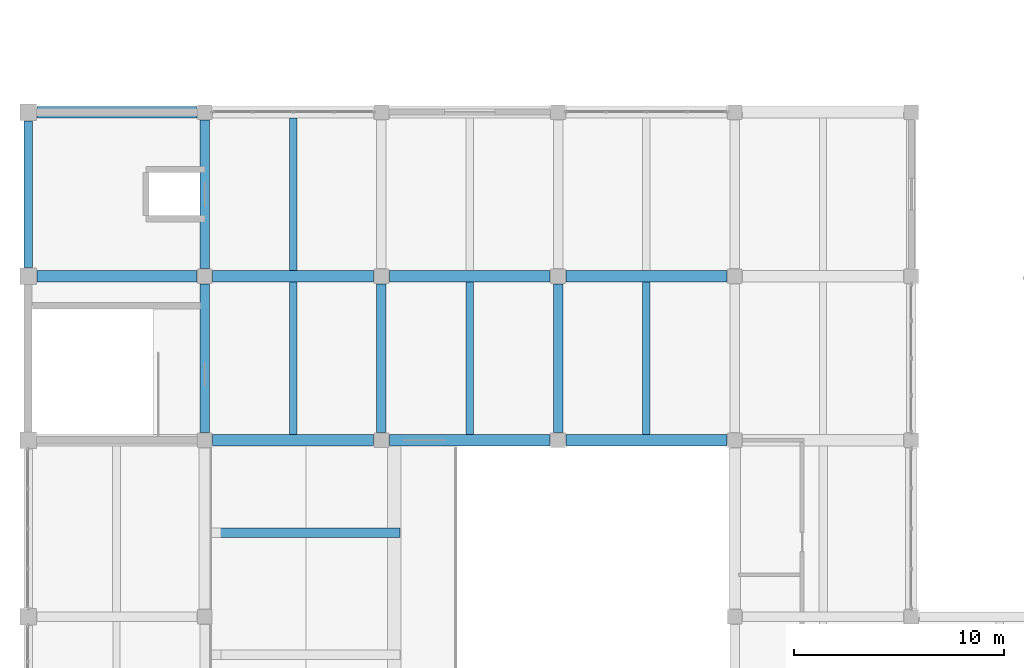
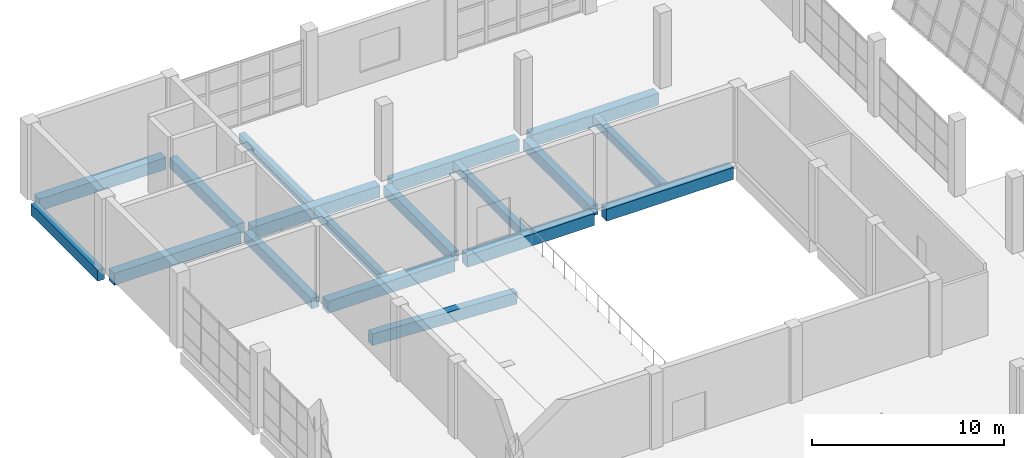
# One storey, part 22 of 91: 18 beams.
"""IFC4 building model written with IfcOpenShell, lengths in metres."""

from ifc_helpers import new_model, si_unit, direction, frame, origin, origin_2d, place, context, subcontext, project, spatial, rectangle, extrude, material, material_profile, profile_set, type_object, element, save


model = new_model("IFC4")

# Units and contexts
model_context = context("Model", 3, precision=1e-05, world=origin(), true_north=direction((0.0, 1.0)))
body_context = subcontext(model_context, "Body", "Model", "MODEL_VIEW")
ifc_project = project(units=[si_unit("LENGTHUNIT", "METRE"), si_unit("AREAUNIT", "SQUARE_METRE"), si_unit("VOLUMEUNIT", "CUBIC_METRE"), si_unit("PLANEANGLEUNIT", "RADIAN"), si_unit("MASSUNIT", "GRAM", prefix="KILO")], contexts=[model_context])

# Site, building, storey
site_placement = place(None, origin())
site = spatial("IfcSite", under=ifc_project, at=site_placement, CompositionType="ELEMENT")
building_placement = place(site_placement, origin())
building = spatial("IfcBuilding", under=site, at=building_placement, Name="Pellamere Symphony Hall", CompositionType="ELEMENT")
storey_placement = place(building_placement, frame((0.0, 0.0, 5.39990234375)))
storey = spatial("IfcBuildingStorey", under=building, at=storey_placement, Name="L01", CompositionType="ELEMENT", Elevation=5.39990234375)

# Beams
ifc_material_1 = material(Name="Concrete 40 MPa", Category="concrete")
ifc_material_profile_1 = material_profile(ifc_material_1, rectangle(XDim=0.449951171875, YDim=0.64990234375, at=origin_2d()), Name="RC 450x650")
ifc_profile_set_1 = profile_set([ifc_material_profile_1], Name="Concrete 40 MPa")
beam_type_1 = type_object("IfcBeamType", Name="RC CB-08 450x650", PredefinedType="BEAM", material=ifc_profile_set_1)
for number, where, z_axis, x_axis, name in (
    (1, (8.39990234375, 38.77490234375, -0.60498046875), (0.0, 1.0, 0.0), (-1.0, 0.0, 0.0), "Girder CB-08-Y0724 (L01)"),
    (2, (8.39990234375, 46.574951171875, -0.60498046875), (0.0, 1.0, 0.0), (-1.0, 0.0, 0.0), "Girder CB-08-Y0725 (L01)"),
    (3, (16.800048828125, 38.77490234375, -0.60498046875), (0.0, 1.0, 0.0), (-1.0, 0.0, 0.0), "Girder CB-08-Y0728 (L01)"),
    (4, (25.199951171875, 38.77490234375, -0.60498046875), (0.0, 1.0, 0.0), (-1.0, 0.0, 0.0), "Girder CB-08-Y0732 (L01)"),
):
    element("IfcBeam", number, at=place(storey_placement, frame(where, z_axis=z_axis, x_axis=x_axis)), inside=storey, type_object=beam_type_1, Name=name, PredefinedType="BEAM", context=body_context, shape_type="SweptSolid", body=[
        extrude(rectangle(XDim=0.449951171875, YDim=0.64990234375, at=origin_2d()), origin(), (0.0, 0.0, 1.0), 7.050048828125),
    ])
ifc_material_2 = material(Name="Concrete 35 MPa", Category="concrete")
ifc_material_profile_2 = material_profile(ifc_material_2, rectangle(XDim=0.35009765625, YDim=0.550048828125, at=origin_2d()), Name="RC 350x550")
ifc_profile_set_2 = profile_set([ifc_material_profile_2], Name="Concrete 35 MPa")
beam_type_2 = type_object("IfcBeamType", Name="RC CB-10 350x550", PredefinedType="BEAM", material=ifc_profile_set_2)
for number, where, z_axis, x_axis, name in (
    (5, (12.60009765625, 38.679931640625, -0.56982421875), (0.0, 1.0, 0.0), (-1.0, 0.0, 0.0), "Secondary Floor Beam CB-10-M0105 (L01)"),
    (6, (12.60009765625, 46.47998046875, -0.56982421875), (0.0, 1.0, 0.0), (-1.0, 0.0, 0.0), "Secondary Floor Beam CB-10-M0106 (L01)"),
    (7, (21.0, 38.679931640625, -0.56982421875), (0.0, 1.0, 0.0), (-1.0, 0.0, 0.0), "Secondary Floor Beam CB-10-M0205 (L01)"),
    (8, (29.39990234375, 38.679931640625, -0.56982421875), (0.0, 1.0, 0.0), (-1.0, 0.0, 0.0), "Secondary Floor Beam CB-10-M0305 (L01)"),
):
    element("IfcBeam", number, at=place(storey_placement, frame(where, z_axis=z_axis, x_axis=x_axis)), inside=storey, type_object=beam_type_2, Name=name, PredefinedType="BEAM", context=body_context, shape_type="SweptSolid", body=[
        extrude(rectangle(XDim=0.35009765625, YDim=0.550048828125, at=origin_2d()), origin(), (0.0, 0.0, 1.0), 7.239990234375),
    ])
ifc_material_profile_3 = material_profile(ifc_material_1, rectangle(XDim=0.39990234375, YDim=0.699951171875, at=origin_2d()), Name="RC 400x700")
ifc_profile_set_3 = profile_set([ifc_material_profile_3], Name="Concrete 40 MPa")
beam_type_3 = type_object("IfcBeamType", Name="RC CB-13 400x700", PredefinedType="SPANDREL", material=ifc_profile_set_3)
beam_1_placement = place(storey_placement, frame((0.0, 46.610107421875, -0.6298828125), z_axis=(0.0, 1.0, 0.0), x_axis=(-1.0, 0.0, 0.0)))
element("IfcBeam", 9, at=beam_1_placement, inside=storey, type_object=beam_type_3, Name="Girder CB-13-Y0718 (L01)", PredefinedType="SPANDREL", context=body_context, shape_type="SweptSolid", body=[
    extrude(rectangle(XDim=0.39990234375, YDim=0.699951171875, at=origin_2d()), origin(), (0.0, 0.0, 1.0), 6.97998046875),
])
ifc_material_profile_4 = material_profile(ifc_material_1, rectangle(XDim=0.56005859375, YDim=0.760009765625, at=origin_2d()), Name="RC 560x760")
ifc_profile_set_4 = profile_set([ifc_material_profile_4], Name="Concrete 40 MPa")
beam_type_4 = type_object("IfcBeamType", Name="RC CB-18 560x760", PredefinedType="BEAM", material=ifc_profile_set_4)
beam_2_placement = place(storey_placement, frame((8.77490234375, 38.39990234375, -0.659912109375), z_axis=(1.0, 0.0, 0.0), x_axis=(0.0, 1.0, 0.0)))
element("IfcBeam", 10, at=beam_2_placement, inside=storey, type_object=beam_type_4, Name="Girder CB-18-X0596 (L01)", PredefinedType="BEAM", context=body_context, shape_type="SweptSolid", body=[
    extrude(rectangle(XDim=0.56005859375, YDim=0.760009765625, at=origin_2d()), origin(), (0.0, 0.0, 1.0), 7.650146484375),
])
beam_3_placement = place(storey_placement, frame((17.175048828125, 38.39990234375, -0.659912109375), z_axis=(1.0, 0.0, 0.0), x_axis=(0.0, 1.0, 0.0)))
element("IfcBeam", 11, at=beam_3_placement, inside=storey, type_object=beam_type_4, Name="Girder CB-18-X0597 (L01)", PredefinedType="BEAM", context=body_context, shape_type="SweptSolid", body=[
    extrude(rectangle(XDim=0.56005859375, YDim=0.760009765625, at=origin_2d()), origin(), (0.0, 0.0, 1.0), 7.64990234375),
])
beam_4_placement = place(storey_placement, frame((25.574951171875, 38.39990234375, -0.659912109375), z_axis=(1.0, 0.0, 0.0), x_axis=(0.0, 1.0, 0.0)))
element("IfcBeam", 12, at=beam_4_placement, inside=storey, type_object=beam_type_4, Name="Girder CB-18-X0598 (L01)", PredefinedType="BEAM", context=body_context, shape_type="SweptSolid", body=[
    extrude(rectangle(XDim=0.56005859375, YDim=0.760009765625, at=origin_2d()), origin(), (0.0, 0.0, 1.0), 7.650146484375),
])
beam_5_placement = place(storey_placement, frame((0.409912109375, 46.199951171875, -0.659912109375), z_axis=(1.0, 0.0, 0.0), x_axis=(0.0, 1.0, 0.0)))
element("IfcBeam", 13, at=beam_5_placement, inside=storey, type_object=beam_type_4, Name="Girder CB-18-X0615 (L01)", PredefinedType="BEAM", context=body_context, shape_type="SweptSolid", body=[
    extrude(rectangle(XDim=0.56005859375, YDim=0.760009765625, at=origin_2d()), origin(), (0.0, 0.0, 1.0), 7.614990234375),
])
beam_6_placement = place(storey_placement, frame((8.77490234375, 46.199951171875, -0.659912109375), z_axis=(1.0, 0.0, 0.0), x_axis=(0.0, 1.0, 0.0)))
element("IfcBeam", 14, at=beam_6_placement, inside=storey, type_object=beam_type_4, Name="Girder CB-18-X0616 (L01)", PredefinedType="BEAM", context=body_context, shape_type="SweptSolid", body=[
    extrude(rectangle(XDim=0.56005859375, YDim=0.760009765625, at=origin_2d()), origin(), (0.0, 0.0, 1.0), 7.650146484375),
])
beam_7_placement = place(storey_placement, frame((17.175048828125, 46.199951171875, -0.659912109375), z_axis=(1.0, 0.0, 0.0), x_axis=(0.0, 1.0, 0.0)))
element("IfcBeam", 15, at=beam_7_placement, inside=storey, type_object=beam_type_4, Name="Girder CB-18-X0617 (L01)", PredefinedType="BEAM", context=body_context, shape_type="SweptSolid", body=[
    extrude(rectangle(XDim=0.56005859375, YDim=0.760009765625, at=origin_2d()), origin(), (0.0, 0.0, 1.0), 7.64990234375),
])
beam_8_placement = place(storey_placement, frame((25.574951171875, 46.199951171875, -0.659912109375), z_axis=(1.0, 0.0, 0.0), x_axis=(0.0, 1.0, 0.0)))
element("IfcBeam", 16, at=beam_8_placement, inside=storey, type_object=beam_type_4, Name="Girder CB-18-X0618 (L01)", PredefinedType="BEAM", context=body_context, shape_type="SweptSolid", body=[
    extrude(rectangle(XDim=0.56005859375, YDim=0.760009765625, at=origin_2d()), origin(), (0.0, 0.0, 1.0), 7.650146484375),
])
beam_9_placement = place(storey_placement, frame((0.409912109375, 54.0, -0.659912109375), z_axis=(1.0, 0.0, 0.0), x_axis=(0.0, 1.0, 0.0)))
element("IfcBeam", 17, at=beam_9_placement, inside=storey, type_object=beam_type_4, Name="Girder CB-18-X0635 (L01)", PredefinedType="BEAM", context=body_context, shape_type="SweptSolid", body=[
    extrude(rectangle(XDim=0.56005859375, YDim=0.760009765625, at=origin_2d()), origin(), (0.0, 0.0, 1.0), 7.614990234375),
])
ifc_material_profile_5 = material_profile(ifc_material_1, rectangle(XDim=0.4599609375, YDim=0.739990234375, at=origin_2d()), Name="RC 460x740")
ifc_profile_set_5 = profile_set([ifc_material_profile_5], Name="Concrete 40 MPa")
beam_type_5 = type_object("IfcBeamType", Name="RC RK-04 460x740", PredefinedType="BEAM", material=ifc_profile_set_5)
beam_10_placement = place(storey_placement, frame((17.675048828125, 34.0, -0.52978515625), z_axis=(-0.998951294076, 0.0, 0.045785500579), x_axis=(0.0, -1.0, 0.0)))
element("IfcBeam", 18, at=beam_10_placement, inside=storey, type_object=beam_type_5, Name="Stand Chamber Gallery Raker Beam RK-04-071", PredefinedType="BEAM", context=body_context, shape_type="SweptSolid", body=[
    extrude(rectangle(XDim=0.4599609375, YDim=0.739990234375, at=origin_2d()), origin(), (0.0, 0.0, 1.0), 8.734375),
])

save(model, "model.ifc")
